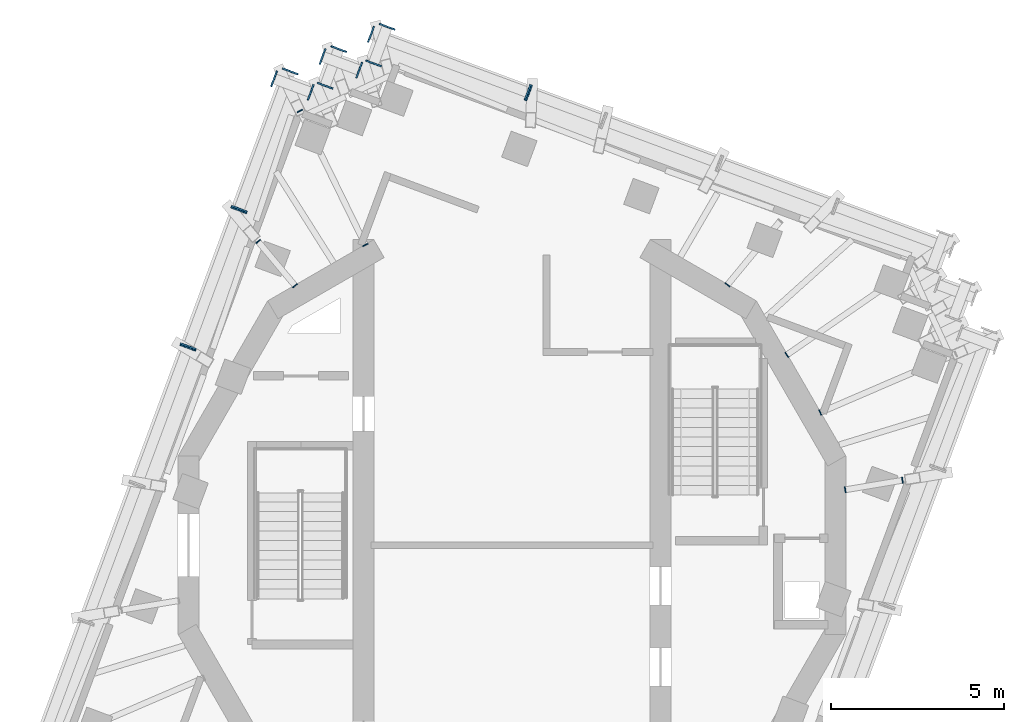
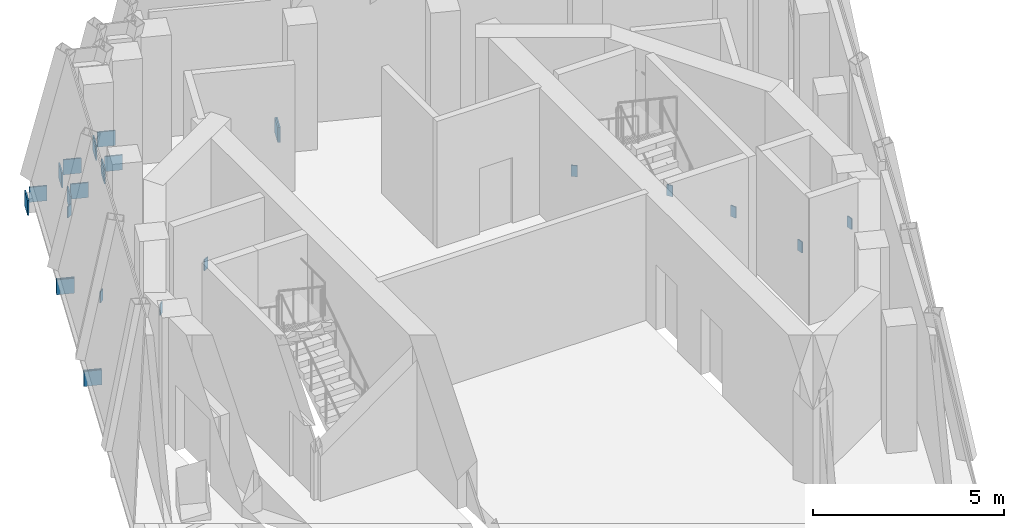
# One storey, part 9 of 11: 25 discrete accessories, 9 elements without a shape of their own.
"""IFC4 building model written with IfcOpenShell, lengths in metres."""

from ifc_helpers import new_model, si_unit, direction, frame, origin, place, context, subcontext, project, spatial, polyline, outline, extrude, material, layer, layer_set, type_object, element, aggregate, save


model = new_model("IFC4")

# Units and contexts
model_context = context("Model", 3, precision=1e-05, world=origin(), true_north=direction((0.0, 1.0)))
body_context = subcontext(model_context, "Body", "Model", "MODEL_VIEW")
ifc_project = project(units=[si_unit("LENGTHUNIT", "METRE"), si_unit("AREAUNIT", "SQUARE_METRE"), si_unit("VOLUMEUNIT", "CUBIC_METRE"), si_unit("PLANEANGLEUNIT", "RADIAN"), si_unit("MASSUNIT", "GRAM", prefix="KILO")], contexts=[model_context])

# Site, building, storey
site_placement = place(None, origin())
site = spatial("IfcSite", under=ifc_project, at=site_placement, CompositionType="ELEMENT")
building_placement = place(site_placement, origin())
building = spatial("IfcBuilding", under=site, at=building_placement, Name="Cantera Rosa Tower", CompositionType="ELEMENT")
storey_placement = place(building_placement, frame((0.0, 0.0, 369.699951171875)))
storey = spatial("IfcBuildingStorey", under=building, at=storey_placement, Name="L83", CompositionType="ELEMENT", Elevation=369.699951171875)

# Curtain wall, discrete accessory
ifc_material_1 = material(Name="Aluminium frame with clear glass", Category="aluminium")
curtain_wall_type = type_object("IfcCurtainWallType", Name="CW4 CROWN GLAZING", PredefinedType="NOTDEFINED", material=ifc_material_1)
curtain_wall_1_placement = place(storey_placement, origin())
curtain_wall_1 = element("IfcCurtainWall", 1, at=curtain_wall_1_placement, inside=storey, type_object=curtain_wall_type, Name="CW4 L83-04", PredefinedType="NOTDEFINED")
ifc_material_2 = material(Name="Steel S355J2 (EN 10025-2)", Category="steel")
ifc_layer = layer(ifc_material_2, 0.030029296875)
ifc_layer_set = layer_set([ifc_layer], Name="NODE PLATE 30")
discrete_accessory_type = type_object("IfcDiscreteAccessoryType", Name="NODE PLATE 30", PredefinedType="ANCHORPLATE", material=ifc_layer_set)
discrete_accessory_1_placement = place(storey_placement, frame((0.351318359375, 12.88720703125, -0.43505859375), z_axis=(-0.937681233018, 0.347496626235, 0.0), x_axis=(0.347496626235, 0.937681233018, 0.0)))
discrete_accessory_1 = element("IfcDiscreteAccessory", 2, at=discrete_accessory_1_placement, type_object=discrete_accessory_type, Name="END PLATE TE1", PredefinedType="ANCHORPLATE", context=body_context, shape_type="SweptSolid", body=[
    extrude(outline(polyline([(0.0, 0.0), (0.4798551533622547, 0.0), (0.4798551533622547, 0.47998046875), (0.0, 0.47998046875), (0.0, 0.0)])), origin(), (0.0, 0.0, -1.0), 0.0400390625),
])
aggregate(curtain_wall_1, [discrete_accessory_1])

# Curtain wall, discrete accessories
curtain_wall_2_placement = place(storey_placement, origin())
curtain_wall_2 = element("IfcCurtainWall", 3, at=curtain_wall_2_placement, inside=storey, type_object=curtain_wall_type, Name="CW4 L83-05", PredefinedType="NOTDEFINED")
discrete_accessory_2_placement = place(storey_placement, frame((0.593017578125, 13.309326171875, -0.43505859375), z_axis=(0.937681233018, -0.347496626235, 0.0), x_axis=(-0.347496626235, -0.937681233018, 0.0)))
discrete_accessory_2 = element("IfcDiscreteAccessory", 4, at=discrete_accessory_2_placement, type_object=discrete_accessory_type, Name="END PLATE TE0", PredefinedType="ANCHORPLATE", context=body_context, shape_type="SweptSolid", body=[
    extrude(outline(polyline([(0.0, 0.0), (0.4798551533622547, 0.0), (0.4798551533622547, 0.47998046875), (0.0, 0.47998046875), (0.0, 0.0)])), origin(), (0.0, 0.0, -1.0), 0.0400390625),
])
discrete_accessory_3_placement = place(storey_placement, frame((-4.182861328125, 14.5673828125, -0.43505859375), z_axis=(-0.93751537431, 0.347943850259, 0.0), x_axis=(0.347943850259, 0.93751537431, 0.0)))
discrete_accessory_3 = element("IfcDiscreteAccessory", 5, at=discrete_accessory_3_placement, type_object=discrete_accessory_type, Name="END PLATE TE1", PredefinedType="ANCHORPLATE", context=body_context, shape_type="SweptSolid", body=[
    extrude(outline(polyline([(0.0, 0.0), (0.47994004600337425, 0.0), (0.47994004600337425, 0.47998046875), (0.0, 0.47998046875), (0.0, 0.0)])), origin(), (0.0, 0.0, -1.0), 0.0400390625),
])
aggregate(curtain_wall_2, [discrete_accessory_2, discrete_accessory_3])

curtain_wall_3_placement = place(storey_placement, origin())
curtain_wall_3 = element("IfcCurtainWall", 6, at=curtain_wall_3_placement, inside=storey, type_object=curtain_wall_type, Name="CW4 L83-06", PredefinedType="NOTDEFINED")
discrete_accessory_4_placement = place(storey_placement, frame((-3.83056640625, 15.10546875, -0.43505859375), z_axis=(0.347330918501, 0.937742626232, 0.0), x_axis=(0.937742626232, -0.347330918501, 0.0)))
discrete_accessory_4 = element("IfcDiscreteAccessory", 7, at=discrete_accessory_4_placement, type_object=discrete_accessory_type, Name="END PLATE TE0", PredefinedType="ANCHORPLATE", context=body_context, shape_type="SweptSolid", body=[
    extrude(outline(polyline([(0.0, 0.0), (0.4800840869406107, 0.0), (0.4800840869406107, 0.47998046875), (0.0, 0.47998046875), (0.0, 0.0)])), origin(), (0.0, 0.0, -1.0), 0.0400390625),
])
discrete_accessory_5_placement = place(storey_placement, frame((-3.787353515625, 13.840576171875, -0.43505859375), z_axis=(-0.347330918501, -0.937742626232, 0.0), x_axis=(-0.937742626232, 0.347330918501, 0.0)))
discrete_accessory_5 = element("IfcDiscreteAccessory", 8, at=discrete_accessory_5_placement, type_object=discrete_accessory_type, Name="END PLATE TE1", PredefinedType="ANCHORPLATE", context=body_context, shape_type="SweptSolid", body=[
    extrude(outline(polyline([(0.0, 0.0), (0.4800840869406107, 0.0), (0.4800840869406107, 0.47998046875), (0.0, 0.47998046875), (0.0, 0.0)])), origin(), (0.0, 0.0, -1.0), 0.0400390625),
])
aggregate(curtain_wall_3, [discrete_accessory_4, discrete_accessory_5])

curtain_wall_4_placement = place(storey_placement, origin())
curtain_wall_4 = element("IfcCurtainWall", 9, at=curtain_wall_4_placement, inside=storey, type_object=curtain_wall_type, Name="CW4 L83-07", PredefinedType="NOTDEFINED")
discrete_accessory_6_placement = place(storey_placement, frame((-4.32080078125, 13.967041015625, -0.43505859375), z_axis=(0.937681233018, -0.347496626235, 0.0), x_axis=(-0.347496626235, -0.937681233018, 0.0)))
discrete_accessory_6 = element("IfcDiscreteAccessory", 10, at=discrete_accessory_6_placement, type_object=discrete_accessory_type, Name="END PLATE TE0", PredefinedType="ANCHORPLATE", context=body_context, shape_type="SweptSolid", body=[
    extrude(outline(polyline([(0.0, 0.0), (0.4798551533622547, 0.0), (0.4798551533622547, 0.47998046875), (0.0, 0.47998046875), (0.0, 0.0)])), origin(), (0.0, 0.0, -1.0), 0.0400390625),
])
discrete_accessory_7_placement = place(storey_placement, frame((-5.58544921875, 13.923828125, -0.43505859375), z_axis=(-0.937742626232, 0.347330918501, 0.0), x_axis=(0.347330918501, 0.937742626232, 0.0)))
discrete_accessory_7 = element("IfcDiscreteAccessory", 11, at=discrete_accessory_7_placement, type_object=discrete_accessory_type, Name="END PLATE TE1", PredefinedType="ANCHORPLATE", context=body_context, shape_type="SweptSolid", body=[
    extrude(outline(polyline([(0.0, 0.0), (0.4800840869406107, 0.0), (0.4800840869406107, 0.47998046875), (0.0, 0.47998046875), (0.0, 0.0)])), origin(), (0.0, 0.0, -1.0), 0.0400390625),
])
aggregate(curtain_wall_4, [discrete_accessory_6, discrete_accessory_7])

curtain_wall_5_placement = place(storey_placement, origin())
curtain_wall_5 = element("IfcCurtainWall", 12, at=curtain_wall_5_placement, inside=storey, type_object=curtain_wall_type, Name="CW4 L83-08", PredefinedType="NOTDEFINED")
discrete_accessory_8_placement = place(storey_placement, frame((-5.233154296875, 14.46044921875, -0.43505859375), z_axis=(0.347330918501, 0.937742626232, 0.0), x_axis=(0.937742626232, -0.347330918501, 0.0)))
discrete_accessory_8 = element("IfcDiscreteAccessory", 13, at=discrete_accessory_8_placement, type_object=discrete_accessory_type, Name="END PLATE TE0", PredefinedType="ANCHORPLATE", context=body_context, shape_type="SweptSolid", body=[
    extrude(outline(polyline([(0.0, 0.0), (0.4800840869406107, 0.0), (0.4800840869406107, 0.47998046875), (0.0, 0.47998046875), (0.0, 0.0)])), origin(), (0.0, 0.0, -1.0), 0.0400390625),
])
discrete_accessory_9_placement = place(storey_placement, frame((-5.18994140625, 13.195556640625, -0.43505859375), z_axis=(-0.347330918501, -0.937742626232, 0.0), x_axis=(-0.937742626232, 0.347330918501, 0.0)))
discrete_accessory_9 = element("IfcDiscreteAccessory", 14, at=discrete_accessory_9_placement, type_object=discrete_accessory_type, Name="END PLATE TE1", PredefinedType="ANCHORPLATE", context=body_context, shape_type="SweptSolid", body=[
    extrude(outline(polyline([(0.0, 0.0), (0.4800840869406107, 0.0), (0.4800840869406107, 0.47998046875), (0.0, 0.47998046875), (0.0, 0.0)])), origin(), (0.0, 0.0, -1.0), 0.0400390625),
])
aggregate(curtain_wall_5, [discrete_accessory_8, discrete_accessory_9])

curtain_wall_6_placement = place(storey_placement, origin())
curtain_wall_6 = element("IfcCurtainWall", 15, at=curtain_wall_6_placement, inside=storey, type_object=curtain_wall_type, Name="CW4 L83-09", PredefinedType="NOTDEFINED")
discrete_accessory_10_placement = place(storey_placement, frame((-5.7236328125, 13.323486328125, -0.43505859375), z_axis=(0.937681233018, -0.347496626235, 0.0), x_axis=(-0.347496626235, -0.937681233018, 0.0)))
discrete_accessory_10 = element("IfcDiscreteAccessory", 16, at=discrete_accessory_10_placement, type_object=discrete_accessory_type, Name="END PLATE TE0", PredefinedType="ANCHORPLATE", context=body_context, shape_type="SweptSolid", body=[
    extrude(outline(polyline([(0.0, 0.0), (0.4798551533622547, 0.0), (0.4798551533622547, 0.47998046875), (0.0, 0.47998046875), (0.0, 0.0)])), origin(), (0.0, 0.0, -1.0), 0.0400390625),
])
discrete_accessory_11_placement = place(storey_placement, frame((-6.98828125, 13.2802734375, -0.43505859375), z_axis=(-0.937742626232, 0.347330918501, 0.0), x_axis=(0.347330918501, 0.937742626232, 0.0)))
discrete_accessory_11 = element("IfcDiscreteAccessory", 17, at=discrete_accessory_11_placement, type_object=discrete_accessory_type, Name="END PLATE TE1", PredefinedType="ANCHORPLATE", context=body_context, shape_type="SweptSolid", body=[
    extrude(outline(polyline([(0.0, 0.0), (0.4800840869406107, 0.0), (0.4800840869406107, 0.47998046875), (0.0, 0.47998046875), (0.0, 0.0)])), origin(), (0.0, 0.0, -1.0), 0.0400390625),
])
aggregate(curtain_wall_6, [discrete_accessory_10, discrete_accessory_11])

curtain_wall_7_placement = place(storey_placement, origin())
curtain_wall_7 = element("IfcCurtainWall", 18, at=curtain_wall_7_placement, inside=storey, type_object=curtain_wall_type, Name="CW4 L83-10", PredefinedType="NOTDEFINED")
discrete_accessory_12_placement = place(storey_placement, frame((-6.635498046875, 13.8154296875, -0.43505859375), z_axis=(0.347496626235, 0.937681233018, 0.0), x_axis=(0.937681233018, -0.347496626235, 0.0)))
discrete_accessory_12 = element("IfcDiscreteAccessory", 19, at=discrete_accessory_12_placement, type_object=discrete_accessory_type, Name="END PLATE TE0", PredefinedType="ANCHORPLATE", context=body_context, shape_type="SweptSolid", body=[
    extrude(outline(polyline([(0.0, 0.0), (0.4798551533622547, 0.0), (0.4798551533622547, 0.47998046875), (0.0, 0.47998046875), (0.0, 0.0)])), origin(), (0.0, 0.0, -1.0), 0.0400390625),
])
discrete_accessory_13_placement = place(storey_placement, frame((-7.687744140625, 9.594482421875, -0.43505859375), z_axis=(-0.347777987911, -0.937576914778, 0.0), x_axis=(-0.937576914778, 0.347777987911, 0.0)))
discrete_accessory_13 = element("IfcDiscreteAccessory", 20, at=discrete_accessory_13_placement, type_object=discrete_accessory_type, Name="END PLATE TE1", PredefinedType="ANCHORPLATE", context=body_context, shape_type="SweptSolid", body=[
    extrude(outline(polyline([(0.0, 0.0), (0.4801689391068604, 0.0), (0.4801689391068604, 0.47998046875), (0.0, 0.47998046875), (0.0, 0.0)])), origin(), (0.0, 0.0, -1.0), 0.0400390625),
])
aggregate(curtain_wall_7, [discrete_accessory_12, discrete_accessory_13])

curtain_wall_8_placement = place(storey_placement, origin())
curtain_wall_8 = element("IfcCurtainWall", 21, at=curtain_wall_8_placement, inside=storey, type_object=curtain_wall_type, Name="CW4 L83-11", PredefinedType="NOTDEFINED")
discrete_accessory_14_placement = place(storey_placement, frame((-8.110107421875, 9.83642578125, -0.43505859375), z_axis=(0.347330918501, 0.937742626232, 0.0), x_axis=(0.937742626232, -0.347330918501, 0.0)))
discrete_accessory_14 = element("IfcDiscreteAccessory", 22, at=discrete_accessory_14_placement, type_object=discrete_accessory_type, Name="END PLATE TE0", PredefinedType="ANCHORPLATE", context=body_context, shape_type="SweptSolid", body=[
    extrude(outline(polyline([(0.0, 0.0), (0.4800840869406107, 0.0), (0.4800840869406107, 0.47998046875), (0.0, 0.47998046875), (0.0, 0.0)])), origin(), (0.0, 0.0, -1.0), 0.0400390625),
])
discrete_accessory_15_placement = place(storey_placement, frame((-9.162353515625, 5.615478515625, -0.43505859375), z_axis=(-0.347330918501, -0.937742626232, 0.0), x_axis=(-0.937742626232, 0.347330918501, 0.0)))
discrete_accessory_15 = element("IfcDiscreteAccessory", 23, at=discrete_accessory_15_placement, type_object=discrete_accessory_type, Name="END PLATE TE1", PredefinedType="ANCHORPLATE", context=body_context, shape_type="SweptSolid", body=[
    extrude(outline(polyline([(0.0, 0.0), (0.4800840869406107, 0.0), (0.4800840869406107, 0.47998046875), (0.0, 0.47998046875), (0.0, 0.0)])), origin(), (0.0, 0.0, -1.0), 0.0400390625),
])
aggregate(curtain_wall_8, [discrete_accessory_14, discrete_accessory_15])

# Curtain wall, discrete accessory
curtain_wall_9_placement = place(storey_placement, origin())
curtain_wall_9 = element("IfcCurtainWall", 24, at=curtain_wall_9_placement, inside=storey, type_object=curtain_wall_type, Name="CW4 L83-12", PredefinedType="NOTDEFINED")
discrete_accessory_16_placement = place(storey_placement, frame((-9.584716796875, 5.857177734375, -0.43505859375), z_axis=(0.347330918501, 0.937742626232, 0.0), x_axis=(0.937742626232, -0.347330918501, 0.0)))
discrete_accessory_16 = element("IfcDiscreteAccessory", 25, at=discrete_accessory_16_placement, type_object=discrete_accessory_type, Name="END PLATE TE0", PredefinedType="ANCHORPLATE", context=body_context, shape_type="SweptSolid", body=[
    extrude(outline(polyline([(0.0, 0.0), (0.4800840869406107, 0.0), (0.4800840869406107, 0.47998046875), (0.0, 0.47998046875), (0.0, 0.0)])), origin(), (0.0, 0.0, -1.0), 0.0400390625),
])
aggregate(curtain_wall_9, [discrete_accessory_16])

# Discrete accessories
discrete_accessory_17_placement = place(storey_placement, frame((0.0, 0.0, -0.805908203125)))
element("IfcDiscreteAccessory", 26, at=discrete_accessory_17_placement, inside=storey, type_object=discrete_accessory_type, Name="END PLATE CG-Z6-01 L83 B", PredefinedType="ANCHORPLATE", context=body_context, shape_type="SweptSolid", body=[
    extrude(outline(polyline([(8.016845703125, 5.447021484375), (7.9921875, 5.429931640625), (7.894775390625, 5.570556640625), (7.91943359375, 5.587646484375), (8.016845703125, 5.447021484375)])), origin(), (0.0, 0.0, 1.0), 0.35595703125),
])
discrete_accessory_18_placement = place(storey_placement, frame((0.0, 0.0, -0.805908203125)))
element("IfcDiscreteAccessory", 27, at=discrete_accessory_18_placement, inside=storey, type_object=discrete_accessory_type, Name="END PLATE CG-Z6-02 L83 B", PredefinedType="ANCHORPLATE", context=body_context, shape_type="SweptSolid", body=[
    extrude(outline(polyline([(6.3115234375, 7.4931640625), (6.292236328125, 7.469970703125), (6.16064453125, 7.5791015625), (6.1796875, 7.602294921875), (6.3115234375, 7.4931640625)])), origin(), (0.0, 0.0, 1.0), 0.35595703125),
])
discrete_accessory_19_placement = place(storey_placement, frame((0.0, 0.0, -0.805908203125)))
element("IfcDiscreteAccessory", 28, at=discrete_accessory_19_placement, inside=storey, type_object=discrete_accessory_type, Name="END PLATE CG-Z6-03 L83 A", PredefinedType="ANCHORPLATE", context=body_context, shape_type="SweptSolid", body=[
    extrude(outline(polyline([(-6.208251953125, 12.515625), (-6.221435546875, 12.542724609375), (-6.067626953125, 12.61767578125), (-6.054443359375, 12.5908203125), (-6.208251953125, 12.515625)])), origin(), (0.0, 0.0, 1.0), 0.35595703125),
])
discrete_accessory_20_placement = place(storey_placement, frame((0.0, 0.0, -0.805908203125)))
element("IfcDiscreteAccessory", 29, at=discrete_accessory_20_placement, inside=storey, type_object=discrete_accessory_type, Name="END PLATE CG-Z6-03 L83 B", PredefinedType="ANCHORPLATE", context=body_context, shape_type="SweptSolid", body=[
    extrude(outline(polyline([(-4.172607421875, 8.73779296875), (-4.159423828125, 8.710693359375), (-4.31298828125, 8.6357421875), (-4.326171875, 8.66259765625), (-4.172607421875, 8.73779296875)])), origin(), (0.0, 0.0, 1.0), 0.35595703125),
])
discrete_accessory_21_placement = place(storey_placement, frame((0.0, 0.0, -0.805908203125)))
element("IfcDiscreteAccessory", 30, at=discrete_accessory_21_placement, inside=storey, type_object=discrete_accessory_type, Name="END PLATE CG-Z6-04 L83 A", PredefinedType="ANCHORPLATE", context=body_context, shape_type="SweptSolid", body=[
    extrude(outline(polyline([(-7.403564453125, 8.72314453125), (-7.4228515625, 8.74609375), (-7.291748046875, 8.855712890625), (-7.2724609375, 8.832763671875), (-7.403564453125, 8.72314453125)])), origin(), (0.0, 0.0, 1.0), 0.35595703125),
])
discrete_accessory_22_placement = place(storey_placement, frame((0.0, 0.0, -0.805908203125)))
element("IfcDiscreteAccessory", 31, at=discrete_accessory_22_placement, inside=storey, type_object=discrete_accessory_type, Name="END PLATE CG-Z6-04 L83 B", PredefinedType="ANCHORPLATE", context=body_context, shape_type="SweptSolid", body=[
    extrude(outline(polyline([(-6.22314453125, 7.57763671875), (-6.203857421875, 7.554443359375), (-6.335205078125, 7.44482421875), (-6.354248046875, 7.4677734375), (-6.22314453125, 7.57763671875)])), origin(), (0.0, 0.0, 1.0), 0.35595703125),
])
discrete_accessory_23_placement = place(storey_placement, frame((0.0, 0.0, -0.805908203125)))
element("IfcDiscreteAccessory", 32, at=discrete_accessory_23_placement, inside=storey, type_object=discrete_accessory_type, Name="END PLATE CG-Z6-11 L83 A", PredefinedType="ANCHORPLATE", context=body_context, shape_type="SweptSolid", body=[
    extrude(outline(polyline([(11.272216796875, 1.960693359375), (11.3017578125, 1.965576171875), (11.329833984375, 1.796875), (11.30029296875, 1.7919921875), (11.272216796875, 1.960693359375)])), origin(), (0.0, 0.0, 1.0), 0.35595703125),
])
discrete_accessory_24_placement = place(storey_placement, frame((0.0, 0.0, -0.805908203125)))
element("IfcDiscreteAccessory", 33, at=discrete_accessory_24_placement, inside=storey, type_object=discrete_accessory_type, Name="END PLATE CG-Z6-11 L83 B", PredefinedType="ANCHORPLATE", context=body_context, shape_type="SweptSolid", body=[
    extrude(outline(polyline([(9.67333984375, 1.521484375), (9.643798828125, 1.5166015625), (9.61572265625, 1.685302734375), (9.645263671875, 1.690185546875), (9.67333984375, 1.521484375)])), origin(), (0.0, 0.0, 1.0), 0.35595703125),
])
discrete_accessory_25_placement = place(storey_placement, frame((0.0, 0.0, -0.805908203125)))
element("IfcDiscreteAccessory", 34, at=discrete_accessory_25_placement, inside=storey, type_object=discrete_accessory_type, Name="END PLATE CG-Z6-12 L83 B", PredefinedType="ANCHORPLATE", context=body_context, shape_type="SweptSolid", body=[
    extrude(outline(polyline([(8.96630859375, 3.7685546875), (8.938720703125, 3.756591796875), (8.87109375, 3.913818359375), (8.898681640625, 3.925537109375), (8.96630859375, 3.7685546875)])), origin(), (0.0, 0.0, 1.0), 0.35595703125),
])

save(model, "model.ifc")
